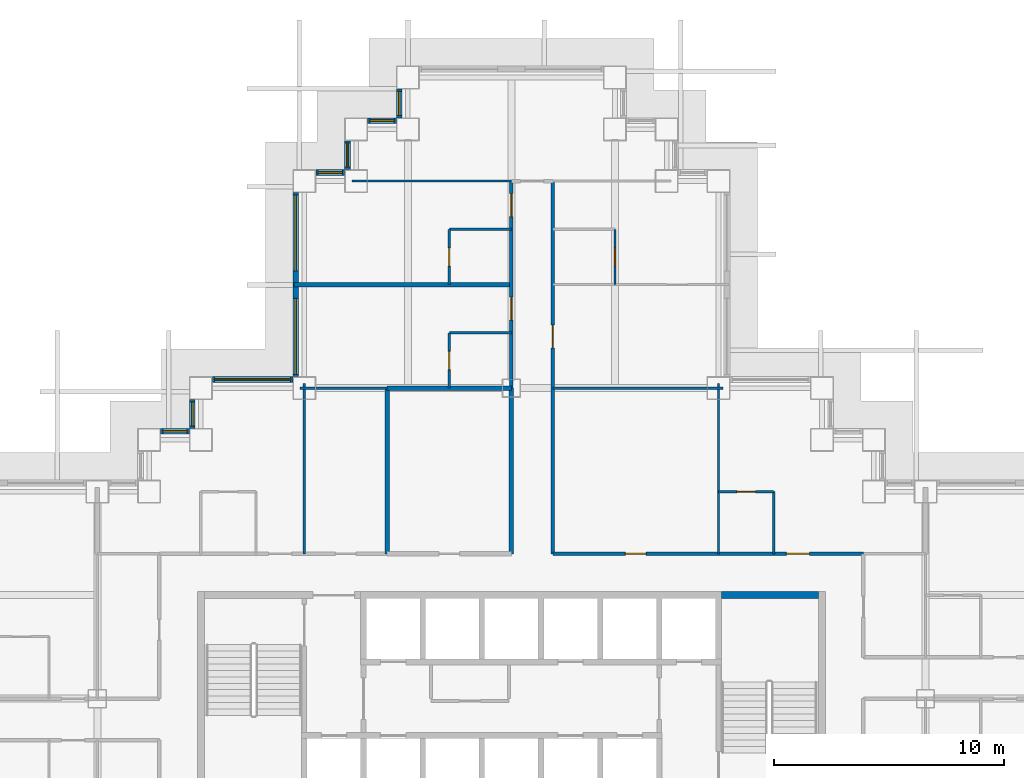
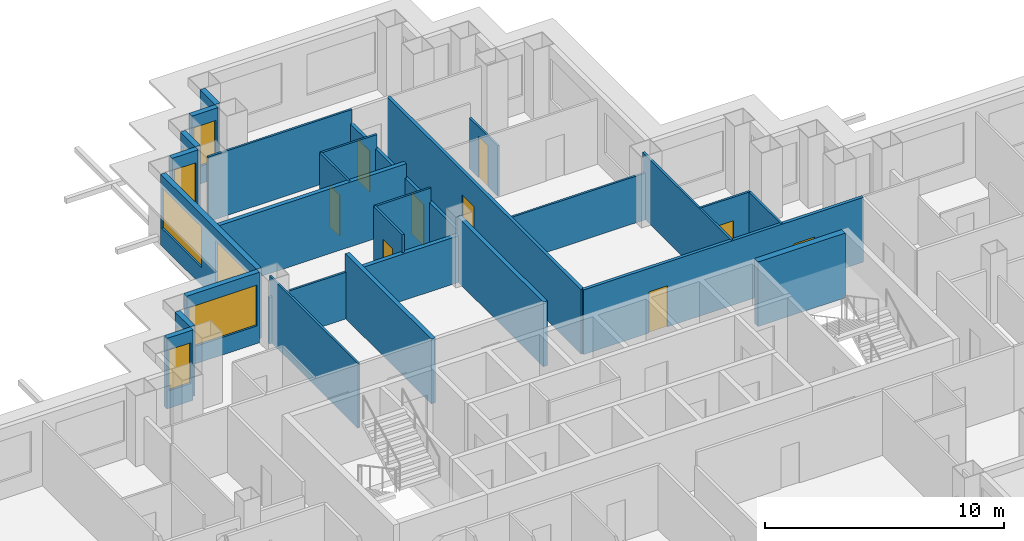
# One storey, part 8 of 15: 28 walls, 9 doors, 9 windows, 18 openings.
"""IFC4 building model written with IfcOpenShell, lengths in metres."""

from ifc_helpers import new_model, si_unit, direction, frame, frame_2d, origin, place, context, subcontext, project, spatial, rectangle, extrude, material, layer, layer_set, type_object, element, fill, save


model = new_model("IFC4")

# Units and contexts
model_context = context("Model", 3, precision=1e-05, world=origin(), true_north=direction((0.0, 1.0)))
body_context = subcontext(model_context, "Body", "Model", "MODEL_VIEW")
ifc_project = project(units=[si_unit("LENGTHUNIT", "METRE"), si_unit("AREAUNIT", "SQUARE_METRE"), si_unit("VOLUMEUNIT", "CUBIC_METRE"), si_unit("PLANEANGLEUNIT", "RADIAN"), si_unit("MASSUNIT", "GRAM", prefix="KILO")], contexts=[model_context])

# Site, building, storey
site_placement = place(None, origin())
site = spatial("IfcSite", under=ifc_project, at=site_placement, CompositionType="ELEMENT")
building_placement = place(site_placement, origin())
building = spatial("IfcBuilding", under=site, at=building_placement, Name="Caravel Reach Hotel and Residences", CompositionType="ELEMENT")
storey_placement = place(building_placement, frame((0.0, 0.0, 70.800048828125)))
storey = spatial("IfcBuildingStorey", under=building, at=storey_placement, Name="L16", CompositionType="ELEMENT", Elevation=70.800048828125)

# Wall, opening, door
ifc_material_1 = material(Name="Gypsum board on steel stud", Category="steel")
ifc_layer_1 = layer(ifc_material_1, 0.10009765625)
ifc_layer_set_1 = layer_set([ifc_layer_1], Name="Bathroom pod wall 100 mm")
wall_type_1 = type_object("IfcWallType", Name="Bathroom pod wall 100 mm", PredefinedType="PARTITIONING", material=ifc_layer_set_1)
wall_1_placement = place(storey_placement, frame((40.5, 36.0, 0.0), z_axis=(0.0, 0.0, 1.0), x_axis=(1.0, 0.0, 0.0)))
wall_1 = element("IfcWall", 1, at=wall_1_placement, inside=storey, type_object=wall_type_1, Name="L16 wall w082", PredefinedType="PARTITIONING", context=body_context, shape_type="SweptSolid", body=[
    extrude(rectangle(XDim=2.39990234375, YDim=0.10009765625, at=frame_2d((1.199951171875, 0.0))), origin(), (0.0, 0.0, 1.0), 3.300048828125),
])
opening_1_placement = place(wall_1_placement, frame((0.800048828125, 0.0, 0.0)))
opening_1 = element("IfcOpeningElement", 2, at=opening_1_placement, cuts=wall_1, Name="Opening D16-045", PredefinedType="OPENING", context=body_context, shape_type="SweptSolid", body=[
    extrude(rectangle(XDim=0.800048828125, YDim=2.10009765625, at=frame_2d((0.39990234375, 1.050048828125))), frame((0.0, 0.06005859375, 0.0), z_axis=(0.0, -1.0, 0.0), x_axis=(1.0, 0.0, 0.0)), (0.0, 0.0, 1.0), 0.1201171875),
])
ifc_material_2 = material(Name="Timber and steel door leaf", Category="steel")
door_type_1 = type_object("IfcDoorType", Name="Bathroom door 800 x 2100", OperationType="SINGLE_SWING_LEFT", PredefinedType="DOOR", material=ifc_material_2)
door_1_placement = place(opening_1_placement, origin())
door_1 = element("IfcDoor", 3, at=door_1_placement, inside=storey, type_object=door_type_1, Name="door D16-045", OperationType="SINGLE_SWING_LEFT", OverallHeight=2.10009765625, OverallWidth=0.800048828125, PredefinedType="DOOR", context=body_context, shape_type="SweptSolid", body=[
    extrude(rectangle(XDim=0.800048828125, YDim=2.10009765625, at=frame_2d((0.39990234375, 1.050048828125))), frame((0.0, 0.02490234375, 0.0), z_axis=(0.0, -1.0, 0.0), x_axis=(1.0, 0.0, 0.0)), (0.0, 0.0, 1.0), 0.050048828125),
])
fill(opening_1, door_1)

# Walls
for number, where, z_axis, x_axis, name in (
    (4, (28.800048828125, 42.89990234375, 0.0), (0.0, 0.0, 1.0), (1.0, 0.0, 0.0), "L16 wall w083"),
    (5, (28.800048828125, 47.39990234375, 0.0), (0.0, 0.0, 1.0), (1.0, 0.0, 0.0), "L16 wall w084"),
):
    element("IfcWall", number, at=place(storey_placement, frame(where, z_axis=z_axis, x_axis=x_axis)), inside=storey, type_object=wall_type_1, Name=name, PredefinedType="PARTITIONING", context=body_context, shape_type="SweptSolid", body=[
        extrude(rectangle(XDim=2.699951171875, YDim=0.10009765625, at=frame_2d((1.35009765625, 0.0))), origin(), (0.0, 0.0, 1.0), 3.300048828125),
    ])

# Wall, opening, door
wall_2_placement = place(storey_placement, frame((28.800048828125, 40.5, 0.0), z_axis=(0.0, 0.0, 1.0), x_axis=(0.0, 1.0, 0.0)))
wall_2 = element("IfcWall", 6, at=wall_2_placement, inside=storey, type_object=wall_type_1, Name="L16 wall w095", PredefinedType="PARTITIONING", context=body_context, shape_type="SweptSolid", body=[
    extrude(rectangle(XDim=2.39990234375, YDim=0.10009765625, at=frame_2d((1.199951171875, 0.0))), origin(), (0.0, 0.0, 1.0), 3.300048828125),
])
opening_2_placement = place(wall_2_placement, frame((0.800048828125, 0.0, 0.0)))
opening_2 = element("IfcOpeningElement", 7, at=opening_2_placement, cuts=wall_2, Name="Opening D16-024", PredefinedType="OPENING", context=body_context, shape_type="SweptSolid", body=[
    extrude(rectangle(XDim=0.800048828125, YDim=2.10009765625, at=frame_2d((0.39990234375, 1.050048828125))), frame((0.0, 0.06005859375, 0.0), z_axis=(0.0, -1.0, 0.0), x_axis=(1.0, 0.0, 0.0)), (0.0, 0.0, 1.0), 0.1201171875),
])
door_2_placement = place(opening_2_placement, origin())
door_2 = element("IfcDoor", 8, at=door_2_placement, inside=storey, type_object=door_type_1, Name="door D16-024", OperationType="SINGLE_SWING_LEFT", OverallHeight=2.10009765625, OverallWidth=0.800048828125, PredefinedType="DOOR", context=body_context, shape_type="SweptSolid", body=[
    extrude(rectangle(XDim=0.800048828125, YDim=2.10009765625, at=frame_2d((0.39990234375, 1.050048828125))), frame((0.0, 0.02490234375, 0.0), z_axis=(0.0, -1.0, 0.0), x_axis=(1.0, 0.0, 0.0)), (0.0, 0.0, 1.0), 0.050048828125),
])
fill(opening_2, door_2)

wall_3_placement = place(storey_placement, frame((28.800048828125, 45.0, 0.0), z_axis=(0.0, 0.0, 1.0), x_axis=(0.0, 1.0, 0.0)))
wall_3 = element("IfcWall", 9, at=wall_3_placement, inside=storey, type_object=wall_type_1, Name="L16 wall w096", PredefinedType="PARTITIONING", context=body_context, shape_type="SweptSolid", body=[
    extrude(rectangle(XDim=2.39990234375, YDim=0.10009765625, at=frame_2d((1.199951171875, 0.0))), origin(), (0.0, 0.0, 1.0), 3.300048828125),
])
opening_3_placement = place(wall_3_placement, frame((0.800048828125, 0.0, 0.0)))
opening_3 = element("IfcOpeningElement", 10, at=opening_3_placement, cuts=wall_3, Name="Opening D16-026", PredefinedType="OPENING", context=body_context, shape_type="SweptSolid", body=[
    extrude(rectangle(XDim=0.800048828125, YDim=2.10009765625, at=frame_2d((0.39990234375, 1.050048828125))), frame((0.0, 0.06005859375, 0.0), z_axis=(0.0, -1.0, 0.0), x_axis=(1.0, 0.0, 0.0)), (0.0, 0.0, 1.0), 0.1201171875),
])
door_3_placement = place(opening_3_placement, origin())
door_3 = element("IfcDoor", 11, at=door_3_placement, inside=storey, type_object=door_type_1, Name="door D16-026", OperationType="SINGLE_SWING_LEFT", OverallHeight=2.10009765625, OverallWidth=0.800048828125, PredefinedType="DOOR", context=body_context, shape_type="SweptSolid", body=[
    extrude(rectangle(XDim=0.800048828125, YDim=2.10009765625, at=frame_2d((0.39990234375, 1.050048828125))), frame((0.0, 0.02490234375, 0.0), z_axis=(0.0, -1.0, 0.0), x_axis=(1.0, 0.0, 0.0)), (0.0, 0.0, 1.0), 0.050048828125),
])
fill(opening_3, door_3)

wall_4_placement = place(storey_placement, frame((36.0, 45.0, 0.0), z_axis=(0.0, 0.0, 1.0), x_axis=(0.0, 1.0, 0.0)))
wall_4 = element("IfcWall", 12, at=wall_4_placement, inside=storey, type_object=wall_type_1, Name="L16 wall w100", PredefinedType="PARTITIONING", context=body_context, shape_type="SweptSolid", body=[
    extrude(rectangle(XDim=2.39990234375, YDim=0.10009765625, at=frame_2d((1.199951171875, 0.0))), origin(), (0.0, 0.0, 1.0), 2.579833984375),
])
opening_4_placement = place(wall_4_placement, frame((0.800048828125, 0.0, 0.0)))
opening_4 = element("IfcOpeningElement", 13, at=opening_4_placement, cuts=wall_4, Name="Opening D16-029", PredefinedType="OPENING", context=body_context, shape_type="SweptSolid", body=[
    extrude(rectangle(XDim=0.800048828125, YDim=2.10009765625, at=frame_2d((0.39990234375, 1.050048828125))), frame((0.0, 0.06005859375, 0.0), z_axis=(0.0, -1.0, 0.0), x_axis=(1.0, 0.0, 0.0)), (0.0, 0.0, 1.0), 0.1201171875),
])
door_4_placement = place(opening_4_placement, origin())
door_4 = element("IfcDoor", 14, at=door_4_placement, inside=storey, type_object=door_type_1, Name="door D16-029", OperationType="SINGLE_SWING_LEFT", OverallHeight=2.10009765625, OverallWidth=0.800048828125, PredefinedType="DOOR", context=body_context, shape_type="SweptSolid", body=[
    extrude(rectangle(XDim=0.800048828125, YDim=2.10009765625, at=frame_2d((0.39990234375, 1.050048828125))), frame((0.0, 0.02490234375, 0.0), z_axis=(0.0, -1.0, 0.0), x_axis=(1.0, 0.0, 0.0)), (0.0, 0.0, 1.0), 0.050048828125),
])
fill(opening_4, door_4)

# Walls
wall_5_placement = place(storey_placement, frame((42.89990234375, 33.300048828125, 0.0), z_axis=(0.0, 0.0, 1.0), x_axis=(0.0, 1.0, 0.0)))
element("IfcWall", 15, at=wall_5_placement, inside=storey, type_object=wall_type_1, Name="L16 wall w101", PredefinedType="PARTITIONING", context=body_context, shape_type="SweptSolid", body=[
    extrude(rectangle(XDim=2.699951171875, YDim=0.10009765625, at=frame_2d((1.35009765625, 0.0))), origin(), (0.0, 0.0, 1.0), 3.300048828125),
])
ifc_material_3 = material(Name="Autoclaved aerated block wall")
ifc_layer_2 = layer(ifc_material_3, 0.199951171875)
ifc_layer_set_2 = layer_set([ifc_layer_2], Name="Compartment wall 200 mm EI 120")
wall_type_2 = type_object("IfcWallType", Name="Compartment wall 200 mm EI 120", PredefinedType="PARTITIONING", material=ifc_layer_set_2)
wall_6_placement = place(storey_placement, frame((26.10009765625, 40.5, 0.0), z_axis=(0.0, 0.0, 1.0), x_axis=(1.0, 0.0, 0.0)))
element("IfcWall", 16, at=wall_6_placement, inside=storey, type_object=wall_type_2, Name="L16 wall w106", PredefinedType="PARTITIONING", context=body_context, shape_type="SweptSolid", body=[
    extrude(rectangle(XDim=5.39990234375, YDim=0.199951171875, at=frame_2d((2.699951171875, 0.0))), origin(), (0.0, 0.0, 1.0), 2.3798828125),
])
for number, where, z_axis, x_axis, name in (
    (17, (26.10009765625, 33.300048828125, 0.0), (0.0, 0.0, 1.0), (0.0, 1.0, 0.0), "L16 wall w107"),
    (18, (31.5, 33.300048828125, 0.0), (0.0, 0.0, 1.0), (0.0, 1.0, 0.0), "L16 wall w108"),
):
    element("IfcWall", number, at=place(storey_placement, frame(where, z_axis=z_axis, x_axis=x_axis)), inside=storey, type_object=wall_type_2, Name=name, PredefinedType="PARTITIONING", context=body_context, shape_type="SweptSolid", body=[
        extrude(rectangle(XDim=7.199951171875, YDim=0.199951171875, at=frame_2d((3.60009765625, 0.0))), origin(), (0.0, 0.0, 1.0), 3.300048828125),
    ])
ifc_material_4 = material(Name="Concrete C60", Category="concrete")
ifc_layer_3 = layer(ifc_material_4, 0.300048828125)
ifc_layer_set_3 = layer_set([ifc_layer_3], Name="Core wall 300 mm EI 120")
wall_type_3 = type_object("IfcWallType", Name="Core wall 300 mm EI 120", PredefinedType="SHEAR", material=ifc_layer_set_3)
wall_7_placement = place(storey_placement, frame((40.625, 31.5, 0.0), z_axis=(0.0, 0.0, 1.0), x_axis=(1.0, 0.0, 0.0)))
element("IfcWall", 19, at=wall_7_placement, inside=storey, type_object=wall_type_3, Name="L16 core wall N2", PredefinedType="SHEAR", context=body_context, shape_type="SweptSolid", body=[
    extrude(rectangle(XDim=4.22509765625, YDim=0.300048828125, at=frame_2d((2.112548828125, 0.0))), origin(), (0.0, 0.0, 1.0), 3.300048828125),
])

# Wall, openings, doors
ifc_material_5 = material(Name="Gypsum board on steel stud, fire-rated", Category="steel")
ifc_layer_4 = layer(ifc_material_5, 0.14990234375)
ifc_layer_set_4 = layer_set([ifc_layer_4], Name="Corridor wall 150 mm EI 60")
wall_type_4 = type_object("IfcWallType", Name="Corridor wall 150 mm EI 60", PredefinedType="PARTITIONING", material=ifc_layer_set_4)
wall_8_placement = place(storey_placement, frame((33.300048828125, 33.300048828125, 0.0), z_axis=(0.0, 0.0, 1.0), x_axis=(1.0, 0.0, 0.0)))
wall_8 = element("IfcWall", 20, at=wall_8_placement, inside=storey, type_object=wall_type_4, Name="L16 wall w018", PredefinedType="PARTITIONING", context=body_context, shape_type="SweptSolid", body=[
    extrude(rectangle(XDim=13.5, YDim=0.14990234375, at=frame_2d((6.75, 0.0))), origin(), (0.0, 0.0, 1.0), 3.300048828125),
])
opening_5_placement = place(wall_8_placement, frame((10.14990234375, 0.0, 0.0)))
opening_5 = element("IfcOpeningElement", 21, at=opening_5_placement, cuts=wall_8, Name="Opening D16-044", PredefinedType="OPENING", context=body_context, shape_type="SweptSolid", body=[
    extrude(rectangle(XDim=1.0, YDim=2.10009765625, at=frame_2d((0.5, 1.050048828125))), frame((0.0, 0.0849609375, 0.0), z_axis=(0.0, -1.0, 0.0), x_axis=(1.0, 0.0, 0.0)), (0.0, 0.0, 1.0), 0.169921875),
])
opening_6_placement = place(wall_8_placement, frame((3.14990234375, 0.0, 0.0)))
opening_6 = element("IfcOpeningElement", 22, at=opening_6_placement, cuts=wall_8, Name="Opening D16-053", PredefinedType="OPENING", context=body_context, shape_type="SweptSolid", body=[
    extrude(rectangle(XDim=0.89990234375, YDim=2.10009765625, at=frame_2d((0.449951171875, 1.050048828125))), frame((0.0, 0.0849609375, 0.0), z_axis=(0.0, -1.0, 0.0), x_axis=(1.0, 0.0, 0.0)), (0.0, 0.0, 1.0), 0.169921875),
])
ifc_material_6 = material(Name="Timber and steel door leaf", Category="steel")
door_type_2 = type_object("IfcDoorType", Name="Door 900 x 2100 timber", OperationType="SINGLE_SWING_LEFT", PredefinedType="DOOR", material=ifc_material_6)
door_5_placement = place(opening_6_placement, origin())
door_5 = element("IfcDoor", 23, at=door_5_placement, inside=storey, type_object=door_type_2, Name="door D16-053", OperationType="SINGLE_SWING_LEFT", OverallHeight=2.10009765625, OverallWidth=0.89990234375, PredefinedType="DOOR", context=body_context, shape_type="SweptSolid", body=[
    extrude(rectangle(XDim=0.89990234375, YDim=2.10009765625, at=frame_2d((0.449951171875, 1.050048828125))), frame((0.0, 0.02490234375, 0.0), z_axis=(0.0, -1.0, 0.0), x_axis=(1.0, 0.0, 0.0)), (0.0, 0.0, 1.0), 0.050048828125),
])
fill(opening_6, door_5)
ifc_material_7 = material(Name="Steel fire door leaf", Category="steel")
door_type_3 = type_object("IfcDoorType", Name="Guest room door 1000 x 2100 EI 30", OperationType="SINGLE_SWING_LEFT", PredefinedType="DOOR", material=ifc_material_7)
door_6_placement = place(opening_5_placement, origin())
door_6 = element("IfcDoor", 24, at=door_6_placement, inside=storey, type_object=door_type_3, Name="door D16-044", OperationType="SINGLE_SWING_RIGHT", OverallHeight=2.10009765625, OverallWidth=1.0, PredefinedType="DOOR", context=body_context, shape_type="SweptSolid", body=[
    extrude(rectangle(XDim=1.0, YDim=2.10009765625, at=frame_2d((0.5, 1.050048828125))), frame((0.0, 0.02490234375, 0.0), z_axis=(0.0, -1.0, 0.0), x_axis=(1.0, 0.0, 0.0)), (0.0, 0.0, 1.0), 0.050048828125),
])
fill(opening_5, door_6)

wall_9_placement = place(storey_placement, frame((31.5, 40.5, 0.0), z_axis=(0.0, 0.0, 1.0), x_axis=(0.0, 1.0, 0.0)))
wall_9 = element("IfcWall", 25, at=wall_9_placement, inside=storey, type_object=wall_type_4, Name="L16 wall w026", PredefinedType="PARTITIONING", context=body_context, shape_type="SweptSolid", body=[
    extrude(rectangle(XDim=9.0, YDim=0.14990234375, at=frame_2d((4.5, 0.0))), origin(), (0.0, 0.0, 1.0), 2.579833984375),
])
opening_7_placement = place(wall_9_placement, frame((2.949951171875, 0.0, 0.0)))
opening_7 = element("IfcOpeningElement", 26, at=opening_7_placement, cuts=wall_9, Name="Opening D16-023", PredefinedType="OPENING", context=body_context, shape_type="SweptSolid", body=[
    extrude(rectangle(XDim=1.0, YDim=2.10009765625, at=frame_2d((0.5, 1.050048828125))), frame((0.0, 0.0849609375, 0.0), z_axis=(0.0, -1.0, 0.0), x_axis=(1.0, 0.0, 0.0)), (0.0, 0.0, 1.0), 0.169921875),
])
opening_8_placement = place(wall_9_placement, frame((7.449951171875, 0.0, 0.0)))
opening_8 = element("IfcOpeningElement", 27, at=opening_8_placement, cuts=wall_9, Name="Opening D16-025", PredefinedType="OPENING", context=body_context, shape_type="SweptSolid", body=[
    extrude(rectangle(XDim=1.0, YDim=2.10009765625, at=frame_2d((0.5, 1.050048828125))), frame((0.0, 0.0849609375, 0.0), z_axis=(0.0, -1.0, 0.0), x_axis=(1.0, 0.0, 0.0)), (0.0, 0.0, 1.0), 0.169921875),
])
door_7_placement = place(opening_7_placement, origin())
door_7 = element("IfcDoor", 28, at=door_7_placement, inside=storey, type_object=door_type_3, Name="door D16-023", OperationType="SINGLE_SWING_RIGHT", OverallHeight=2.10009765625, OverallWidth=1.0, PredefinedType="DOOR", context=body_context, shape_type="SweptSolid", body=[
    extrude(rectangle(XDim=1.0, YDim=2.10009765625, at=frame_2d((0.5, 1.050048828125))), frame((0.0, 0.02490234375, 0.0), z_axis=(0.0, -1.0, 0.0), x_axis=(1.0, 0.0, 0.0)), (0.0, 0.0, 1.0), 0.050048828125),
])
fill(opening_7, door_7)
door_8_placement = place(opening_8_placement, origin())
door_8 = element("IfcDoor", 29, at=door_8_placement, inside=storey, type_object=door_type_3, Name="door D16-025", OperationType="SINGLE_SWING_RIGHT", OverallHeight=2.10009765625, OverallWidth=1.0, PredefinedType="DOOR", context=body_context, shape_type="SweptSolid", body=[
    extrude(rectangle(XDim=1.0, YDim=2.10009765625, at=frame_2d((0.5, 1.050048828125))), frame((0.0, 0.02490234375, 0.0), z_axis=(0.0, -1.0, 0.0), x_axis=(1.0, 0.0, 0.0)), (0.0, 0.0, 1.0), 0.050048828125),
])
fill(opening_8, door_8)

# Wall, opening, door
wall_10_placement = place(storey_placement, frame((33.300048828125, 33.300048828125, 0.0), z_axis=(0.0, 0.0, 1.0), x_axis=(0.0, 1.0, 0.0)))
wall_10 = element("IfcWall", 30, at=wall_10_placement, inside=storey, type_object=wall_type_4, Name="L16 wall w031", PredefinedType="PARTITIONING", context=body_context, shape_type="SweptSolid", body=[
    extrude(rectangle(XDim=16.199951171875, YDim=0.14990234375, at=frame_2d((8.10009765625, 0.0))), origin(), (0.0, 0.0, 1.0), 3.300048828125),
])
opening_9_placement = place(wall_10_placement, frame((8.949951171875, 0.0, 0.0)))
opening_9 = element("IfcOpeningElement", 31, at=opening_9_placement, cuts=wall_10, Name="Opening D16-027", PredefinedType="OPENING", context=body_context, shape_type="SweptSolid", body=[
    extrude(rectangle(XDim=1.0, YDim=2.10009765625, at=frame_2d((0.5, 1.050048828125))), frame((0.0, 0.0849609375, 0.0), z_axis=(0.0, -1.0, 0.0), x_axis=(1.0, 0.0, 0.0)), (0.0, 0.0, 1.0), 0.169921875),
])
door_9_placement = place(opening_9_placement, origin())
door_9 = element("IfcDoor", 32, at=door_9_placement, inside=storey, type_object=door_type_3, Name="door D16-027", OperationType="SINGLE_SWING_RIGHT", OverallHeight=2.10009765625, OverallWidth=1.0, PredefinedType="DOOR", context=body_context, shape_type="SweptSolid", body=[
    extrude(rectangle(XDim=1.0, YDim=2.10009765625, at=frame_2d((0.5, 1.050048828125))), frame((0.0, 0.02490234375, 0.0), z_axis=(0.0, -1.0, 0.0), x_axis=(1.0, 0.0, 0.0)), (0.0, 0.0, 1.0), 0.050048828125),
])
fill(opening_9, door_9)

# Wall, opening, window
ifc_material_8 = material(Name="Insulated rainscreen wall, aluminium cladding", Category="aluminium")
ifc_layer_5 = layer(ifc_material_8, 0.25)
ifc_layer_set_5 = layer_set([ifc_layer_5], Name="EW1 Tower rainscreen wall")
wall_type_5 = type_object("IfcWallType", Name="EW1 Tower rainscreen wall", PredefinedType="SOLIDWALL", material=ifc_layer_set_5)
wall_11_placement = place(storey_placement, frame((26.625, 53.5, 0.0), z_axis=(0.0, 0.0, 1.0), x_axis=(0.0, -1.0, 0.0)))
wall_11 = element("IfcWall", 33, at=wall_11_placement, inside=storey, type_object=wall_type_5, Name="External wall L16 W36.1", PredefinedType="SOLIDWALL", context=body_context, shape_type="SweptSolid", body=[
    extrude(rectangle(XDim=1.25, YDim=0.25, at=frame_2d((0.625, 0.0))), origin(), (0.0, 0.0, 1.0), 3.599853515625),
])
opening_10_placement = place(wall_11_placement, frame((0.10009765625, 0.0, 0.89990234375)))
opening_10 = element("IfcOpeningElement", 34, at=opening_10_placement, cuts=wall_11, Name="Opening WN3", PredefinedType="OPENING", context=body_context, shape_type="SweptSolid", body=[
    extrude(rectangle(XDim=1.050048828125, YDim=2.080078125, at=frame_2d((0.52490234375, 1.0400390625))), frame((0.0, 0.135009765625, 0.0), z_axis=(0.0, -1.0, 0.0), x_axis=(1.0, 0.0, 0.0)), (0.0, 0.0, 1.0), 0.27001953125),
])
ifc_material_9 = material(Name="Dark low-e glazing in black aluminium frame", Category="aluminium")
window_type_1 = type_object("IfcWindowType", Name="Hotel suite corner window 1050 x 2080", PartitioningType="SINGLE_PANEL", PredefinedType="WINDOW", material=ifc_material_9)
window_1_placement = place(opening_10_placement, origin())
window_1 = element("IfcWindow", 35, at=window_1_placement, inside=storey, type_object=window_type_1, Name="Window L16 W36.1.1", OverallHeight=2.080078125, OverallWidth=1.050048828125, PartitioningType="SINGLE_PANEL", PredefinedType="WINDOW", context=body_context, shape_type="SweptSolid", body=[
    extrude(rectangle(XDim=1.050048828125, YDim=2.080078125, at=frame_2d((0.52490234375, 1.0400390625))), frame((0.0, 0.030029296875, 0.0), z_axis=(0.0, -1.0, 0.0), x_axis=(1.0, 0.0, 0.0)), (0.0, 0.0, 1.0), 0.06005859375),
])
fill(opening_10, window_1)

wall_12_placement = place(storey_placement, frame((26.5, 52.125, 0.0), z_axis=(0.0, 0.0, 1.0), x_axis=(-1.0, 0.0, 0.0)))
wall_12 = element("IfcWall", 36, at=wall_12_placement, inside=storey, type_object=wall_type_5, Name="External wall L16 N37.1", PredefinedType="SOLIDWALL", context=body_context, shape_type="SweptSolid", body=[
    extrude(rectangle(XDim=1.25, YDim=0.25, at=frame_2d((0.625, 0.0))), origin(), (0.0, 0.0, 1.0), 3.599853515625),
])
opening_11_placement = place(wall_12_placement, frame((0.10009765625, 0.0, 0.89990234375)))
opening_11 = element("IfcOpeningElement", 37, at=opening_11_placement, cuts=wall_12, Name="Opening WN3", PredefinedType="OPENING", context=body_context, shape_type="SweptSolid", body=[
    extrude(rectangle(XDim=1.050048828125, YDim=2.080078125, at=frame_2d((0.52490234375, 1.0400390625))), frame((0.0, 0.135009765625, 0.0), z_axis=(0.0, -1.0, 0.0), x_axis=(1.0, 0.0, 0.0)), (0.0, 0.0, 1.0), 0.27001953125),
])
window_2_placement = place(opening_11_placement, origin())
window_2 = element("IfcWindow", 38, at=window_2_placement, inside=storey, type_object=window_type_1, Name="Window L16 N37.1.1", OverallHeight=2.080078125, OverallWidth=1.050048828125, PartitioningType="SINGLE_PANEL", PredefinedType="WINDOW", context=body_context, shape_type="SweptSolid", body=[
    extrude(rectangle(XDim=1.050048828125, YDim=2.080078125, at=frame_2d((0.52490234375, 1.0400390625))), frame((0.0, 0.030029296875, 0.0), z_axis=(0.0, -1.0, 0.0), x_axis=(1.0, 0.0, 0.0)), (0.0, 0.0, 1.0), 0.06005859375),
])
fill(opening_11, window_2)

wall_13_placement = place(storey_placement, frame((24.375, 51.25, 0.0), z_axis=(0.0, 0.0, 1.0), x_axis=(0.0, -1.0, 0.0)))
wall_13 = element("IfcWall", 39, at=wall_13_placement, inside=storey, type_object=wall_type_5, Name="External wall L16 W38.1", PredefinedType="SOLIDWALL", context=body_context, shape_type="SweptSolid", body=[
    extrude(rectangle(XDim=1.25, YDim=0.25, at=frame_2d((0.625, 0.0))), origin(), (0.0, 0.0, 1.0), 3.599853515625),
])
opening_12_placement = place(wall_13_placement, frame((0.10009765625, 0.0, 0.89990234375)))
opening_12 = element("IfcOpeningElement", 40, at=opening_12_placement, cuts=wall_13, Name="Opening WN3", PredefinedType="OPENING", context=body_context, shape_type="SweptSolid", body=[
    extrude(rectangle(XDim=1.050048828125, YDim=2.080078125, at=frame_2d((0.52490234375, 1.0400390625))), frame((0.0, 0.135009765625, 0.0), z_axis=(0.0, -1.0, 0.0), x_axis=(1.0, 0.0, 0.0)), (0.0, 0.0, 1.0), 0.27001953125),
])
window_3_placement = place(opening_12_placement, origin())
window_3 = element("IfcWindow", 41, at=window_3_placement, inside=storey, type_object=window_type_1, Name="Window L16 W38.1.1", OverallHeight=2.080078125, OverallWidth=1.050048828125, PartitioningType="SINGLE_PANEL", PredefinedType="WINDOW", context=body_context, shape_type="SweptSolid", body=[
    extrude(rectangle(XDim=1.050048828125, YDim=2.080078125, at=frame_2d((0.52490234375, 1.0400390625))), frame((0.0, 0.030029296875, 0.0), z_axis=(0.0, -1.0, 0.0), x_axis=(1.0, 0.0, 0.0)), (0.0, 0.0, 1.0), 0.06005859375),
])
fill(opening_12, window_3)

wall_14_placement = place(storey_placement, frame((24.25, 49.875, 0.0), z_axis=(0.0, 0.0, 1.0), x_axis=(-1.0, 0.0, 0.0)))
wall_14 = element("IfcWall", 42, at=wall_14_placement, inside=storey, type_object=wall_type_5, Name="External wall L16 N39.1", PredefinedType="SOLIDWALL", context=body_context, shape_type="SweptSolid", body=[
    extrude(rectangle(XDim=1.25, YDim=0.25, at=frame_2d((0.625, 0.0))), origin(), (0.0, 0.0, 1.0), 3.599853515625),
])
opening_13_placement = place(wall_14_placement, frame((0.10009765625, 0.0, 0.89990234375)))
opening_13 = element("IfcOpeningElement", 43, at=opening_13_placement, cuts=wall_14, Name="Opening WN3", PredefinedType="OPENING", context=body_context, shape_type="SweptSolid", body=[
    extrude(rectangle(XDim=1.050048828125, YDim=2.080078125, at=frame_2d((0.52490234375, 1.0400390625))), frame((0.0, 0.135009765625, 0.0), z_axis=(0.0, -1.0, 0.0), x_axis=(1.0, 0.0, 0.0)), (0.0, 0.0, 1.0), 0.27001953125),
])
window_4_placement = place(opening_13_placement, origin())
window_4 = element("IfcWindow", 44, at=window_4_placement, inside=storey, type_object=window_type_1, Name="Window L16 N39.1.1", OverallHeight=2.080078125, OverallWidth=1.050048828125, PartitioningType="SINGLE_PANEL", PredefinedType="WINDOW", context=body_context, shape_type="SweptSolid", body=[
    extrude(rectangle(XDim=1.050048828125, YDim=2.080078125, at=frame_2d((0.52490234375, 1.0400390625))), frame((0.0, 0.030029296875, 0.0), z_axis=(0.0, -1.0, 0.0), x_axis=(1.0, 0.0, 0.0)), (0.0, 0.0, 1.0), 0.06005859375),
])
fill(opening_13, window_4)

# Wall, openings, windows
wall_15_placement = place(storey_placement, frame((22.125, 49.0, 0.0), z_axis=(0.0, 0.0, 1.0), x_axis=(0.0, -1.0, 0.0)))
wall_15 = element("IfcWall", 45, at=wall_15_placement, inside=storey, type_object=wall_type_5, Name="External wall L16 W40.1", PredefinedType="SOLIDWALL", context=body_context, shape_type="SweptSolid", body=[
    extrude(rectangle(XDim=8.0, YDim=0.25, at=frame_2d((4.0, 0.0))), origin(), (0.0, 0.0, 1.0), 3.599853515625),
])
opening_14_placement = place(wall_15_placement, frame((0.10009765625, 0.0, 0.89990234375)))
opening_14 = element("IfcOpeningElement", 46, at=opening_14_placement, cuts=wall_15, Name="Opening WN4", PredefinedType="OPENING", context=body_context, shape_type="SweptSolid", body=[
    extrude(rectangle(XDim=3.300048828125, YDim=2.080078125, at=frame_2d((1.64990234375, 1.0400390625))), frame((0.0, 0.135009765625, 0.0), z_axis=(0.0, -1.0, 0.0), x_axis=(1.0, 0.0, 0.0)), (0.0, 0.0, 1.0), 0.27001953125),
])
opening_15_placement = place(wall_15_placement, frame((4.60009765625, 0.0, 0.89990234375)))
opening_15 = element("IfcOpeningElement", 47, at=opening_15_placement, cuts=wall_15, Name="Opening WN4", PredefinedType="OPENING", context=body_context, shape_type="SweptSolid", body=[
    extrude(rectangle(XDim=3.300048828125, YDim=2.080078125, at=frame_2d((1.64990234375, 1.0400390625))), frame((0.0, 0.135009765625, 0.0), z_axis=(0.0, -1.0, 0.0), x_axis=(1.0, 0.0, 0.0)), (0.0, 0.0, 1.0), 0.27001953125),
])
ifc_material_10 = material(Name="Dark low-e glazing in black aluminium frame", Category="aluminium")
window_type_2 = type_object("IfcWindowType", Name="Hotel guest room window 3300 x 2080", PartitioningType="SINGLE_PANEL", PredefinedType="WINDOW", material=ifc_material_10)
window_5_placement = place(opening_14_placement, origin())
window_5 = element("IfcWindow", 48, at=window_5_placement, inside=storey, type_object=window_type_2, Name="Window L16 W40.1.1", OverallHeight=2.080078125, OverallWidth=3.300048828125, PartitioningType="SINGLE_PANEL", PredefinedType="WINDOW", context=body_context, shape_type="SweptSolid", body=[
    extrude(rectangle(XDim=3.300048828125, YDim=2.080078125, at=frame_2d((1.64990234375, 1.0400390625))), frame((0.0, 0.030029296875, 0.0), z_axis=(0.0, -1.0, 0.0), x_axis=(1.0, 0.0, 0.0)), (0.0, 0.0, 1.0), 0.06005859375),
])
fill(opening_14, window_5)
window_6_placement = place(opening_15_placement, origin())
window_6 = element("IfcWindow", 49, at=window_6_placement, inside=storey, type_object=window_type_2, Name="Window L16 W40.1.2", OverallHeight=2.080078125, OverallWidth=3.300048828125, PartitioningType="SINGLE_PANEL", PredefinedType="WINDOW", context=body_context, shape_type="SweptSolid", body=[
    extrude(rectangle(XDim=3.300048828125, YDim=2.080078125, at=frame_2d((1.64990234375, 1.0400390625))), frame((0.0, 0.030029296875, 0.0), z_axis=(0.0, -1.0, 0.0), x_axis=(1.0, 0.0, 0.0)), (0.0, 0.0, 1.0), 0.06005859375),
])
fill(opening_15, window_6)

# Wall, opening, window
wall_16_placement = place(storey_placement, frame((22.0, 40.875, 0.0), z_axis=(0.0, 0.0, 1.0), x_axis=(-1.0, 0.0, 0.0)))
wall_16 = element("IfcWall", 50, at=wall_16_placement, inside=storey, type_object=wall_type_5, Name="External wall L16 N41.1", PredefinedType="SOLIDWALL", context=body_context, shape_type="SweptSolid", body=[
    extrude(rectangle(XDim=3.5, YDim=0.25, at=frame_2d((1.75, 0.0))), origin(), (0.0, 0.0, 1.0), 3.599853515625),
])
opening_16_placement = place(wall_16_placement, frame((0.10009765625, 0.0, 0.89990234375)))
opening_16 = element("IfcOpeningElement", 51, at=opening_16_placement, cuts=wall_16, Name="Opening WN4", PredefinedType="OPENING", context=body_context, shape_type="SweptSolid", body=[
    extrude(rectangle(XDim=3.300048828125, YDim=2.080078125, at=frame_2d((1.64990234375, 1.0400390625))), frame((0.0, 0.135009765625, 0.0), z_axis=(0.0, -1.0, 0.0), x_axis=(1.0, 0.0, 0.0)), (0.0, 0.0, 1.0), 0.27001953125),
])
window_7_placement = place(opening_16_placement, origin())
window_7 = element("IfcWindow", 52, at=window_7_placement, inside=storey, type_object=window_type_2, Name="Window L16 N41.1.1", OverallHeight=2.080078125, OverallWidth=3.300048828125, PartitioningType="SINGLE_PANEL", PredefinedType="WINDOW", context=body_context, shape_type="SweptSolid", body=[
    extrude(rectangle(XDim=3.300048828125, YDim=2.080078125, at=frame_2d((1.64990234375, 1.0400390625))), frame((0.0, 0.030029296875, 0.0), z_axis=(0.0, -1.0, 0.0), x_axis=(1.0, 0.0, 0.0)), (0.0, 0.0, 1.0), 0.06005859375),
])
fill(opening_16, window_7)

wall_17_placement = place(storey_placement, frame((17.625, 40.0, 0.0), z_axis=(0.0, 0.0, 1.0), x_axis=(0.0, -1.0, 0.0)))
wall_17 = element("IfcWall", 53, at=wall_17_placement, inside=storey, type_object=wall_type_5, Name="External wall L16 W42.1", PredefinedType="SOLIDWALL", context=body_context, shape_type="SweptSolid", body=[
    extrude(rectangle(XDim=1.25, YDim=0.25, at=frame_2d((0.625, 0.0))), origin(), (0.0, 0.0, 1.0), 3.599853515625),
])
opening_17_placement = place(wall_17_placement, frame((0.10009765625, 0.0, 0.89990234375)))
opening_17 = element("IfcOpeningElement", 54, at=opening_17_placement, cuts=wall_17, Name="Opening WN3", PredefinedType="OPENING", context=body_context, shape_type="SweptSolid", body=[
    extrude(rectangle(XDim=1.050048828125, YDim=2.080078125, at=frame_2d((0.52490234375, 1.0400390625))), frame((0.0, 0.135009765625, 0.0), z_axis=(0.0, -1.0, 0.0), x_axis=(1.0, 0.0, 0.0)), (0.0, 0.0, 1.0), 0.27001953125),
])
window_8_placement = place(opening_17_placement, origin())
window_8 = element("IfcWindow", 55, at=window_8_placement, inside=storey, type_object=window_type_1, Name="Window L16 W42.1.1", OverallHeight=2.080078125, OverallWidth=1.050048828125, PartitioningType="SINGLE_PANEL", PredefinedType="WINDOW", context=body_context, shape_type="SweptSolid", body=[
    extrude(rectangle(XDim=1.050048828125, YDim=2.080078125, at=frame_2d((0.52490234375, 1.0400390625))), frame((0.0, 0.030029296875, 0.0), z_axis=(0.0, -1.0, 0.0), x_axis=(1.0, 0.0, 0.0)), (0.0, 0.0, 1.0), 0.06005859375),
])
fill(opening_17, window_8)

wall_18_placement = place(storey_placement, frame((17.5, 38.625, 0.0), z_axis=(0.0, 0.0, 1.0), x_axis=(-1.0, 0.0, 0.0)))
wall_18 = element("IfcWall", 56, at=wall_18_placement, inside=storey, type_object=wall_type_5, Name="External wall L16 N43.1", PredefinedType="SOLIDWALL", context=body_context, shape_type="SweptSolid", body=[
    extrude(rectangle(XDim=1.25, YDim=0.25, at=frame_2d((0.625, 0.0))), origin(), (0.0, 0.0, 1.0), 3.599853515625),
])
opening_18_placement = place(wall_18_placement, frame((0.10009765625, 0.0, 0.89990234375)))
opening_18 = element("IfcOpeningElement", 57, at=opening_18_placement, cuts=wall_18, Name="Opening WN3", PredefinedType="OPENING", context=body_context, shape_type="SweptSolid", body=[
    extrude(rectangle(XDim=1.050048828125, YDim=2.080078125, at=frame_2d((0.52490234375, 1.0400390625))), frame((0.0, 0.135009765625, 0.0), z_axis=(0.0, -1.0, 0.0), x_axis=(1.0, 0.0, 0.0)), (0.0, 0.0, 1.0), 0.27001953125),
])
window_9_placement = place(opening_18_placement, origin())
window_9 = element("IfcWindow", 58, at=window_9_placement, inside=storey, type_object=window_type_1, Name="Window L16 N43.1.1", OverallHeight=2.080078125, OverallWidth=1.050048828125, PartitioningType="SINGLE_PANEL", PredefinedType="WINDOW", context=body_context, shape_type="SweptSolid", body=[
    extrude(rectangle(XDim=1.050048828125, YDim=2.080078125, at=frame_2d((0.52490234375, 1.0400390625))), frame((0.0, 0.030029296875, 0.0), z_axis=(0.0, -1.0, 0.0), x_axis=(1.0, 0.0, 0.0)), (0.0, 0.0, 1.0), 0.06005859375),
])
fill(opening_18, window_9)

# Walls
ifc_material_11 = material(Name="Gypsum board on steel stud", Category="steel")
ifc_layer_6 = layer(ifc_material_11, 0.10009765625)
ifc_layer_set_6 = layer_set([ifc_layer_6], Name="Partition 100 mm")
wall_type_6 = type_object("IfcWallType", Name="Partition 100 mm", PredefinedType="PARTITIONING", material=ifc_layer_set_6)
wall_19_placement = place(storey_placement, frame((22.31005859375, 40.5, 0.0), z_axis=(0.0, 0.0, 1.0), x_axis=(1.0, 0.0, 0.0)))
element("IfcWall", 59, at=wall_19_placement, inside=storey, type_object=wall_type_6, Name="L16 wall w045", PredefinedType="PARTITIONING", context=body_context, shape_type="SweptSolid", body=[
    extrude(rectangle(XDim=3.7900390625, YDim=0.10009765625, at=frame_2d((1.89501953125, 0.0))), origin(), (0.0, 0.0, 1.0), 2.3798828125),
])
wall_20_placement = place(storey_placement, frame((33.300048828125, 40.5, 0.0), z_axis=(0.0, 0.0, 1.0), x_axis=(1.0, 0.0, 0.0)))
element("IfcWall", 60, at=wall_20_placement, inside=storey, type_object=wall_type_6, Name="L16 wall w046", PredefinedType="PARTITIONING", context=body_context, shape_type="SweptSolid", body=[
    extrude(rectangle(XDim=7.389892578125, YDim=0.10009765625, at=frame_2d((3.69482421875, 0.0))), origin(), (0.0, 0.0, 1.0), 2.3798828125),
])
wall_21_placement = place(storey_placement, frame((24.56005859375, 49.5, 0.0), z_axis=(0.0, 0.0, 1.0), x_axis=(1.0, 0.0, 0.0)))
element("IfcWall", 61, at=wall_21_placement, inside=storey, type_object=wall_type_6, Name="L16 wall w048", PredefinedType="PARTITIONING", context=body_context, shape_type="SweptSolid", body=[
    extrude(rectangle(XDim=6.93994140625, YDim=0.10009765625, at=frame_2d((3.469970703125, 0.0))), origin(), (0.0, 0.0, 1.0), 3.300048828125),
])
for number, where, z_axis, x_axis, name in (
    (62, (22.5, 33.300048828125, 0.0), (0.0, 0.0, 1.0), (0.0, 1.0, 0.0), "L16 wall w055"),
    (63, (40.5, 33.300048828125, 0.0), (0.0, 0.0, 1.0), (0.0, 1.0, 0.0), "L16 wall w058"),
):
    element("IfcWall", number, at=place(storey_placement, frame(where, z_axis=z_axis, x_axis=x_axis)), inside=storey, type_object=wall_type_6, Name=name, PredefinedType="PARTITIONING", context=body_context, shape_type="SweptSolid", body=[
        extrude(rectangle(XDim=7.389892578125, YDim=0.10009765625, at=frame_2d((3.69482421875, 0.0))), origin(), (0.0, 0.0, 1.0), 3.300048828125),
    ])
ifc_material_12 = material(Name="Autoclaved aerated block wall")
ifc_layer_7 = layer(ifc_material_12, 0.199951171875)
ifc_layer_set_7 = layer_set([ifc_layer_7], Name="Party wall 200 mm EI 60")
wall_type_7 = type_object("IfcWallType", Name="Party wall 200 mm EI 60", PredefinedType="PARTITIONING", material=ifc_layer_set_7)
wall_22_placement = place(storey_placement, frame((22.06005859375, 45.0, 0.0), z_axis=(0.0, 0.0, 1.0), x_axis=(1.0, 0.0, 0.0)))
element("IfcWall", 64, at=wall_22_placement, inside=storey, type_object=wall_type_7, Name="L16 wall w068", PredefinedType="PARTITIONING", context=body_context, shape_type="SweptSolid", body=[
    extrude(rectangle(XDim=9.43994140625, YDim=0.199951171875, at=frame_2d((4.719970703125, 0.0))), origin(), (0.0, 0.0, 1.0), 3.300048828125),
])

save(model, "model.ifc")
